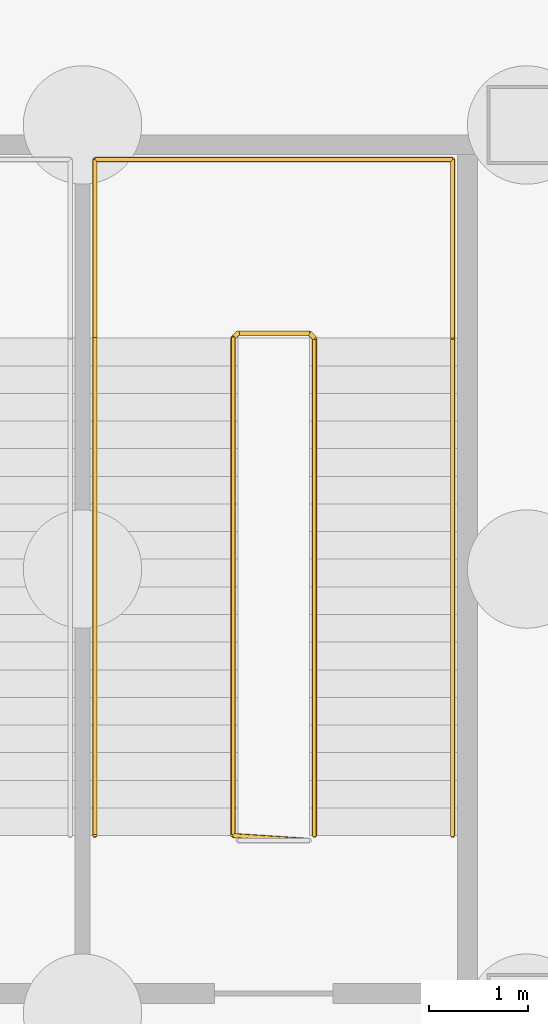
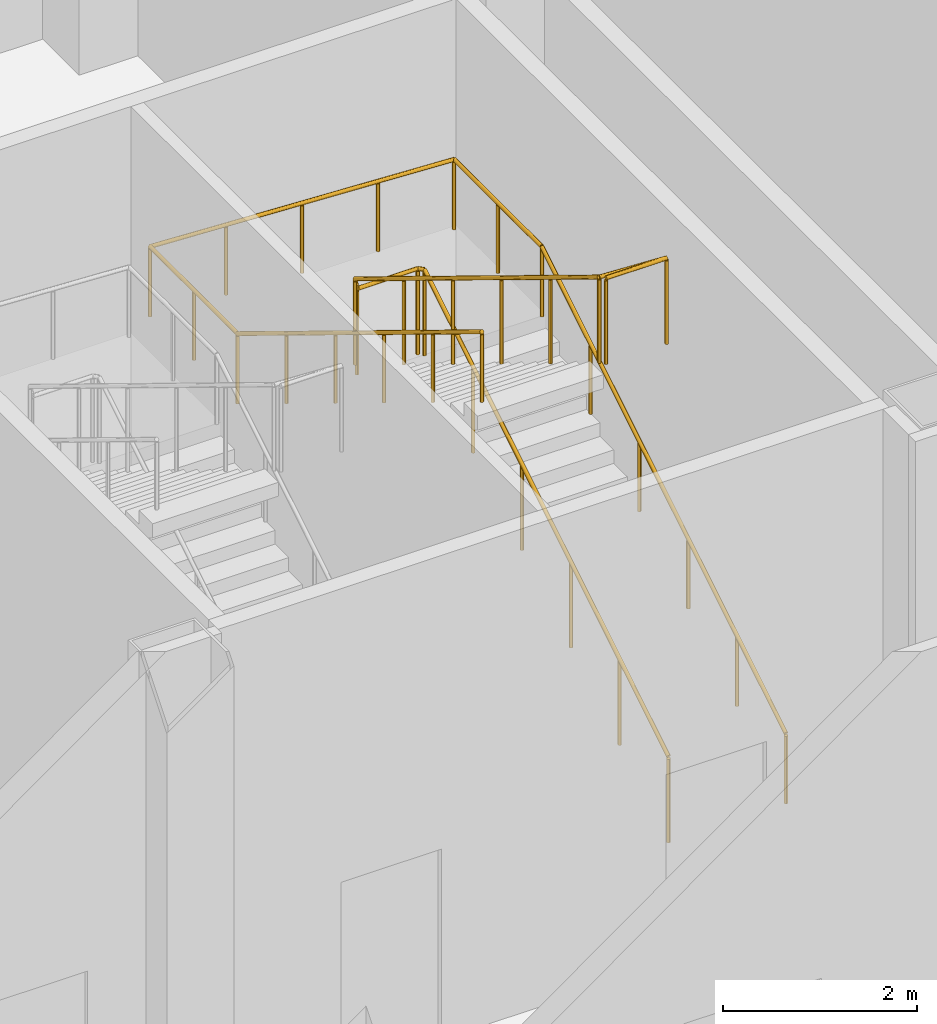
# One storey, part 36 of 37: 2 railings.
"""IFC4 building model written with IfcOpenShell, lengths in metres."""

from ifc_helpers import new_model, si_unit, direction, frame, origin, origin_2d, place, context, subcontext, project, spatial, circle, extrude, material, type_object, element, save


model = new_model("IFC4")

# Units and contexts
model_context = context("Model", 3, precision=1e-05, world=origin(), true_north=direction((0.0, 1.0)))
body_context = subcontext(model_context, "Body", "Model", "MODEL_VIEW")
ifc_project = project(units=[si_unit("LENGTHUNIT", "METRE"), si_unit("AREAUNIT", "SQUARE_METRE"), si_unit("VOLUMEUNIT", "CUBIC_METRE"), si_unit("PLANEANGLEUNIT", "RADIAN"), si_unit("MASSUNIT", "GRAM", prefix="KILO")], contexts=[model_context])

# Site, building, storey
site_placement = place(None, origin())
site = spatial("IfcSite", under=ifc_project, at=site_placement, CompositionType="ELEMENT")
building_placement = place(site_placement, origin())
building = spatial("IfcBuilding", under=site, at=building_placement, Name="Shamsa Quay Exchange Towers", CompositionType="ELEMENT")
storey_placement = place(building_placement, origin())
storey = spatial("IfcBuildingStorey", under=building, at=storey_placement, Name="L00", CompositionType="ELEMENT", Elevation=0.0)

# Railings
ifc_material = material(Name="Stainless steel", Category="steel")
railing_type_1 = type_object("IfcRailingType", Name="STAIR GUARD 1100", PredefinedType="GUARDRAIL", material=ifc_material)
railing_1_placement = place(storey_placement, frame((51.85009765625, 17.550048828125, 0.171142578125)))
element("IfcRailing", 1, at=railing_1_placement, inside=storey, type_object=railing_type_1, Name="L00 PS4B stair guard 1", PredefinedType="GUARDRAIL", context=body_context, shape_type="SweptSolid", body=[
    extrude(circle(Radius=0.02392578125, at=origin_2d()), frame((0.0, 0.0, 1.076171875), z_axis=(0.0, 0.853369698388, 0.521306203564), x_axis=(-1.0, 0.0, 0.0)), (0.0, 0.0, 1.0), 5.906005859375),
    extrude(circle(Radius=0.02392578125, at=origin_2d()), frame((0.0, 5.0400390625, 4.15478515625), z_axis=(-0.708833529934, 0.705375805398, 0.0), x_axis=(-0.705375805398, -0.708833529934, 0.0)), (0.0, 0.0, 1.0), 0.070556640625),
    extrude(circle(Radius=0.02392578125, at=origin_2d()), frame((-0.050048828125, 5.08984375, 4.15478515625), z_axis=(-1.0, 0.0, 0.0), x_axis=(0.0, -1.0, 0.0)), (0.0, 0.0, 1.0), 0.72509765625),
    extrude(circle(Radius=0.02392578125, at=origin_2d()), frame((-0.775146484375, 5.08984375, 4.15478515625), z_axis=(-0.270336121127, -0.269017408341, 0.924417662977), x_axis=(0.705375805398, -0.708833529934, 0.0)), (0.0, 0.0, 1.0), 0.18505859375),
    extrude(circle(Radius=0.02392578125, at=origin_2d()), frame((-0.8251953125, 5.0400390625, 4.326171875), z_axis=(0.0, -0.853369698388, 0.521306203564), x_axis=(1.0, 0.0, 0.0)), (0.0, 0.0, 1.0), 5.906005859375),
    extrude(circle(Radius=0.02392578125, at=origin_2d()), frame((-0.8251953125, 0.0, 7.40478515625), z_axis=(0.997922050633, -0.064432762324, 0.0), x_axis=(0.064432762324, 0.997922050633, 0.0)), (0.0, 0.0, 1.0), 0.77685546875),
    extrude(circle(Radius=0.02392578125, at=origin_2d()), frame((-0.050048828125, -0.050048828125, 7.40478515625), z_axis=(-1.0, 0.0, 0.0), x_axis=(0.0, -1.0, 0.0)), (0.0, 0.0, 1.0), 0.72509765625),
    extrude(circle(Radius=0.02099609375, at=origin_2d()), origin(), (0.0, 0.0, 1.0), 1.052001953125),
    extrude(circle(Radius=0.02099609375, at=origin_2d()), frame((0.0, 1.008056640625, 0.61572265625)), (0.0, 0.0, 1.0), 1.052001953125),
    extrude(circle(Radius=0.02099609375, at=origin_2d()), frame((0.0, 2.01611328125, 1.2314453125)), (0.0, 0.0, 1.0), 1.052001953125),
    extrude(circle(Radius=0.02099609375, at=origin_2d()), frame((0.0, 3.02392578125, 1.847412109375)), (0.0, 0.0, 1.0), 1.052001953125),
    extrude(circle(Radius=0.02099609375, at=origin_2d()), frame((0.0, 4.031982421875, 2.463134765625)), (0.0, 0.0, 1.0), 1.052001953125),
    extrude(circle(Radius=0.02099609375, at=origin_2d()), frame((0.0, 5.0400390625, 3.078857421875)), (0.0, 0.0, 1.0), 1.052001953125),
    extrude(circle(Radius=0.02099609375, at=origin_2d()), frame((-0.050048828125, 5.08984375, 3.078857421875)), (0.0, 0.0, 1.0), 1.052001953125),
    extrude(circle(Radius=0.02099609375, at=origin_2d()), frame((-0.775146484375, 5.08984375, 3.078857421875)), (0.0, 0.0, 1.0), 1.052001953125),
    extrude(circle(Radius=0.02099609375, at=origin_2d()), frame((-0.8251953125, 5.0400390625, 3.25)), (0.0, 0.0, 1.0), 1.052001953125),
    extrude(circle(Radius=0.02099609375, at=origin_2d()), frame((-0.8251953125, 4.031982421875, 3.86572265625)), (0.0, 0.0, 1.0), 1.052001953125),
    extrude(circle(Radius=0.02099609375, at=origin_2d()), frame((-0.8251953125, 3.02392578125, 4.4814453125)), (0.0, 0.0, 1.0), 1.052001953125),
    extrude(circle(Radius=0.02099609375, at=origin_2d()), frame((-0.8251953125, 2.01611328125, 5.097412109375)), (0.0, 0.0, 1.0), 1.052001953125),
    extrude(circle(Radius=0.02099609375, at=origin_2d()), frame((-0.8251953125, 1.008056640625, 5.713134765625)), (0.0, 0.0, 1.0), 1.052001953125),
    extrude(circle(Radius=0.02099609375, at=origin_2d()), frame((-0.8251953125, 0.0, 6.328857421875)), (0.0, 0.0, 1.0), 1.052001953125),
    extrude(circle(Radius=0.02099609375, at=origin_2d()), frame((-0.050048828125, -0.050048828125, 6.328857421875)), (0.0, 0.0, 1.0), 1.052001953125),
    extrude(circle(Radius=0.02099609375, at=origin_2d()), frame((-0.775146484375, -0.050048828125, 6.328857421875)), (0.0, 0.0, 1.0), 1.052001953125),
])
railing_type_2 = type_object("IfcRailingType", Name="STAIR HANDRAIL 900", PredefinedType="HANDRAIL", material=ifc_material)
railing_2_placement = place(storey_placement, frame((53.25, 17.550048828125, 0.171142578125)))
element("IfcRailing", 2, at=railing_2_placement, inside=storey, type_object=railing_type_2, Name="L00 PS4B stair handrail 1", PredefinedType="HANDRAIL", context=body_context, shape_type="SweptSolid", body=[
    extrude(circle(Radius=0.02392578125, at=origin_2d()), frame((0.0, 0.0, 0.8759765625), z_axis=(0.0, 0.853369698388, 0.521306203564), x_axis=(-1.0, 0.0, 0.0)), (0.0, 0.0, 1.0), 5.906005859375),
    extrude(circle(Radius=0.02392578125, at=origin_2d()), frame((0.0, 5.0400390625, 3.95458984375), z_axis=(0.0, 1.0, 0.0), x_axis=(-1.0, 0.0, 0.0)), (0.0, 0.0, 1.0), 1.809814453125),
    extrude(circle(Radius=0.02392578125, at=origin_2d()), frame((0.0, 6.849853515625, 3.95458984375), z_axis=(-0.998887385161, 0.0, 0.047159217201), x_axis=(0.0, -1.0, 0.0)), (0.0, 0.0, 1.0), 3.629150390625),
    extrude(circle(Radius=0.02392578125, at=origin_2d()), frame((-3.625, 6.849853515625, 4.1259765625), z_axis=(0.0, -1.0, 0.0), x_axis=(1.0, 0.0, 0.0)), (0.0, 0.0, 1.0), 1.809814453125),
    extrude(circle(Radius=0.02392578125, at=origin_2d()), frame((-3.625, 5.0400390625, 4.1259765625), z_axis=(0.0, -0.853369698388, 0.521306203564), x_axis=(1.0, 0.0, 0.0)), (0.0, 0.0, 1.0), 5.906005859375),
    extrude(circle(Radius=0.02099609375, at=origin_2d()), origin(), (0.0, 0.0, 1.0), 0.851806640625),
    extrude(circle(Radius=0.02099609375, at=origin_2d()), frame((0.0, 1.008056640625, 0.61572265625)), (0.0, 0.0, 1.0), 0.851806640625),
    extrude(circle(Radius=0.02099609375, at=origin_2d()), frame((0.0, 2.01611328125, 1.2314453125)), (0.0, 0.0, 1.0), 0.851806640625),
    extrude(circle(Radius=0.02099609375, at=origin_2d()), frame((0.0, 3.02392578125, 1.847412109375)), (0.0, 0.0, 1.0), 0.851806640625),
    extrude(circle(Radius=0.02099609375, at=origin_2d()), frame((0.0, 4.031982421875, 2.463134765625)), (0.0, 0.0, 1.0), 0.851806640625),
    extrude(circle(Radius=0.02099609375, at=origin_2d()), frame((0.0, 5.0400390625, 3.078857421875)), (0.0, 0.0, 1.0), 0.851806640625),
    extrude(circle(Radius=0.02099609375, at=origin_2d()), frame((0.0, 5.94482421875, 3.078857421875)), (0.0, 0.0, 1.0), 0.851806640625),
    extrude(circle(Radius=0.02099609375, at=origin_2d()), frame((0.0, 6.849853515625, 3.078857421875)), (0.0, 0.0, 1.0), 0.851806640625),
    extrude(circle(Radius=0.02099609375, at=origin_2d()), frame((-0.90625, 6.849853515625, 3.12158203125)), (0.0, 0.0, 1.0), 0.851806640625),
    extrude(circle(Radius=0.02099609375, at=origin_2d()), frame((-1.8125, 6.849853515625, 3.16455078125)), (0.0, 0.0, 1.0), 0.851806640625),
    extrude(circle(Radius=0.02099609375, at=origin_2d()), frame((-2.71875, 6.849853515625, 3.207275390625)), (0.0, 0.0, 1.0), 0.851806640625),
    extrude(circle(Radius=0.02099609375, at=origin_2d()), frame((-3.625, 6.849853515625, 3.25)), (0.0, 0.0, 1.0), 0.851806640625),
    extrude(circle(Radius=0.02099609375, at=origin_2d()), frame((-3.625, 5.94482421875, 3.25)), (0.0, 0.0, 1.0), 0.851806640625),
    extrude(circle(Radius=0.02099609375, at=origin_2d()), frame((-3.625, 5.0400390625, 3.25)), (0.0, 0.0, 1.0), 0.851806640625),
    extrude(circle(Radius=0.02099609375, at=origin_2d()), frame((-3.625, 4.031982421875, 3.86572265625)), (0.0, 0.0, 1.0), 0.851806640625),
    extrude(circle(Radius=0.02099609375, at=origin_2d()), frame((-3.625, 3.02392578125, 4.4814453125)), (0.0, 0.0, 1.0), 0.851806640625),
    extrude(circle(Radius=0.02099609375, at=origin_2d()), frame((-3.625, 2.01611328125, 5.097412109375)), (0.0, 0.0, 1.0), 0.851806640625),
    extrude(circle(Radius=0.02099609375, at=origin_2d()), frame((-3.625, 1.008056640625, 5.713134765625)), (0.0, 0.0, 1.0), 0.851806640625),
    extrude(circle(Radius=0.02099609375, at=origin_2d()), frame((-3.625, 0.0, 6.328857421875)), (0.0, 0.0, 1.0), 0.851806640625),
])

save(model, "model.ifc")
